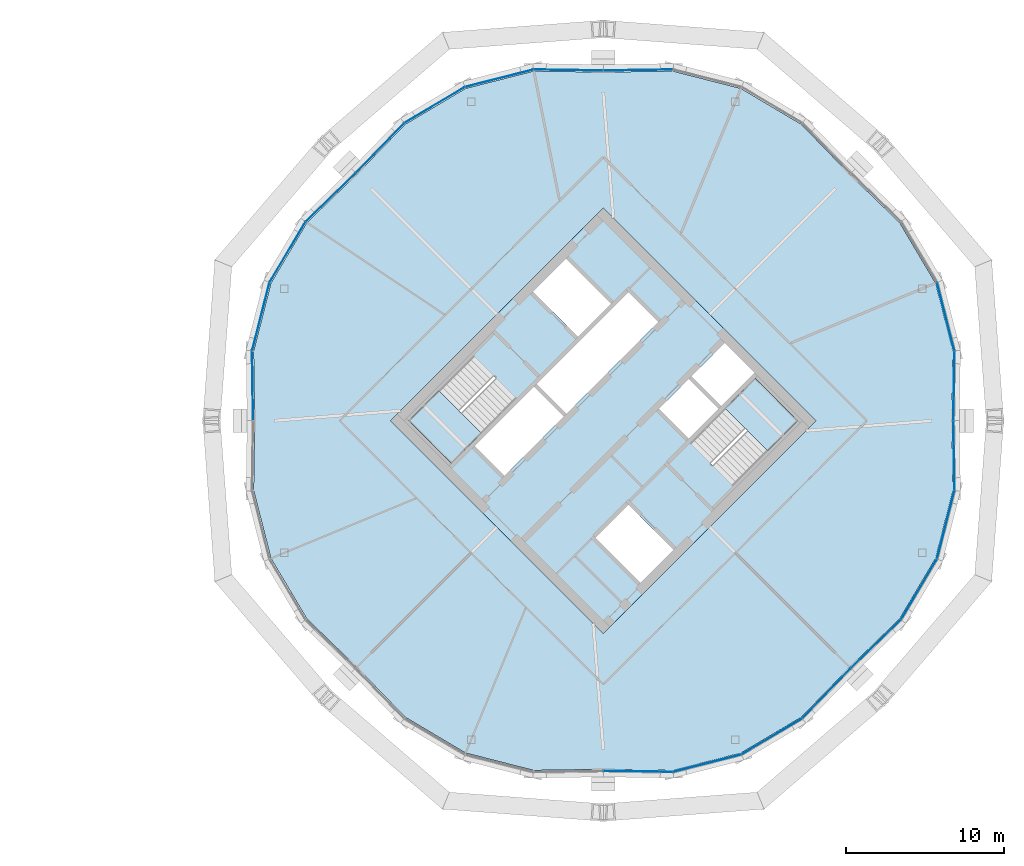
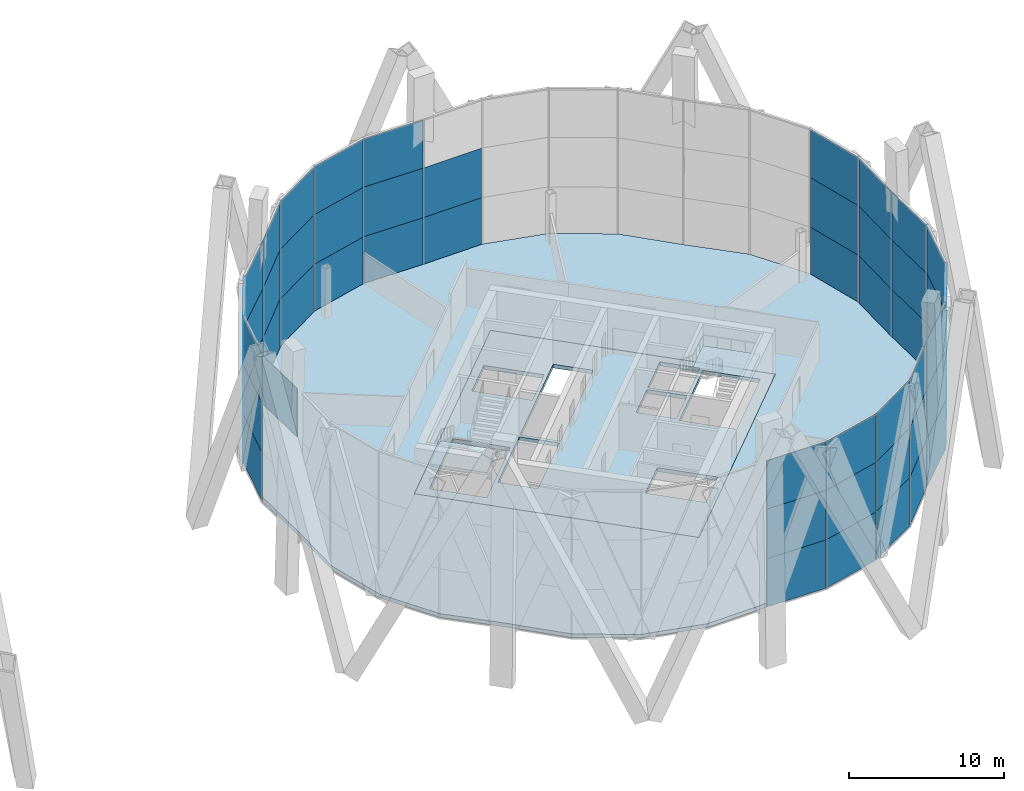
# One storey, part 14 of 23: 54 plates, 4 slabs, 8 elements without a shape of their own.
"""IFC4 building model written with IfcOpenShell, lengths in metres."""

from ifc_helpers import new_model, si_unit, direction, frame, origin, origin_2d, place, context, subcontext, project, spatial, polyline, rectangle, outline, extrude, material, layer, layer_set, type_object, element, aggregate, save


model = new_model("IFC4")

# Units and contexts
model_context = context("Model", 3, precision=1e-05, world=origin(), true_north=direction((0.0, 1.0)))
body_context = subcontext(model_context, "Body", "Model", "MODEL_VIEW")
ifc_project = project(units=[si_unit("LENGTHUNIT", "METRE"), si_unit("AREAUNIT", "SQUARE_METRE"), si_unit("VOLUMEUNIT", "CUBIC_METRE"), si_unit("PLANEANGLEUNIT", "RADIAN"), si_unit("MASSUNIT", "GRAM", prefix="KILO")], contexts=[model_context])

# Site, building, storey
site_placement = place(None, origin())
site = spatial("IfcSite", under=ifc_project, at=site_placement, CompositionType="ELEMENT")
building_placement = place(site_placement, origin())
building = spatial("IfcBuilding", under=site, at=building_placement, Name="Ogive Gate Towers", CompositionType="ELEMENT")
storey_placement = place(building_placement, frame((0.0, 0.0, 165.60009765625)))
storey = spatial("IfcBuildingStorey", under=building, at=storey_placement, Name="L39", CompositionType="ELEMENT", Elevation=165.60009765625)

# Slabs
ifc_material_1 = material(Name="Concrete C40/50", Category="concrete")
ifc_layer_1 = layer(ifc_material_1, 0.300048828125)
ifc_layer_set_1 = layer_set([ifc_layer_1], Name="Core slab C40/50 300 mm")
slab_type_1 = type_object("IfcSlabType", Name="Core slab C40/50 300 mm", PredefinedType="FLOOR", material=ifc_layer_set_1)
slab_1_placement = place(storey_placement, frame((0.0, 0.0, -0.300048828125)))
element("IfcSlab", 1, at=slab_1_placement, inside=storey, type_object=slab_type_1, Name="T2 L39 core slab", PredefinedType="FLOOR", context=body_context, shape_type="SweptSolid", body=[
    extrude(outline(polyline([(36.0, -13.43505859375), (22.56494140625, 0.0), (36.0, 13.43505859375), (49.43505859375, 0.0), (36.0, -13.43505859375)]), holes=[polyline([(29.759765625, -3.482421875), (33.50732421875, 0.26513671875), (31.615966796875, 2.15673828125), (27.868408203125, -1.591064453125), (29.759765625, -3.482421875)]), polyline([(31.792724609375, 2.33349609375), (33.68408203125, 0.44189453125), (39.482421875, 6.240234375), (37.591064453125, 8.131591796875), (31.792724609375, 2.33349609375)]), polyline([(41.3916015625, 2.634033203125), (39.517822265625, 0.760009765625), (41.409423828125, -1.13134765625), (43.283203125, 0.742431640625), (41.3916015625, 2.634033203125)]), polyline([(45.563720703125, 3.02294921875), (43.672119140625, 4.914306640625), (41.568603515625, 2.810791015625), (43.4599609375, 0.919189453125), (45.563720703125, 3.02294921875)]), polyline([(34.408935546875, 5.30322265625), (36.4951171875, 7.389404296875), (33.64892578125, 10.2353515625), (31.56298828125, 8.1494140625), (34.408935546875, 5.30322265625)]), polyline([(35.5048828125, -7.389404296875), (38.35107421875, -10.2353515625), (40.43701171875, -8.1494140625), (37.591064453125, -5.30322265625), (35.5048828125, -7.389404296875)]), polyline([(26.40087890625, -2.70458984375), (30.512939453125, 1.406982421875), (27.80810546875, 4.11181640625), (23.6962890625, 0.0), (26.40087890625, -2.70458984375)]), polyline([(48.3037109375, 0.0), (45.59912109375, 2.70458984375), (41.487060546875, -1.406982421875), (44.19189453125, -4.11181640625), (48.3037109375, 0.0)])]), origin(), (0.0, 0.0, 1.0), 0.300048828125),
])
ifc_material_2 = material(Name="Concrete C35/45", Category="concrete")
ifc_layer_2 = layer(ifc_material_2, 0.300048828125)
ifc_layer_set_2 = layer_set([ifc_layer_2], Name="Floor slab 300")
slab_type_2 = type_object("IfcSlabType", Name="Floor slab 300", PredefinedType="FLOOR", material=ifc_layer_set_2)
slab_2_placement = place(storey_placement, frame((0.0, 0.0, -0.300048828125)))
element("IfcSlab", 2, at=slab_2_placement, inside=storey, type_object=slab_type_2, Name="T2/L39/SSL001", PredefinedType="FLOOR", context=body_context, shape_type="SweptSolid", body=[
    extrude(outline(polyline([(58.09716796875, -4.395263671875), (58.030029296875, 0.0), (58.09716796875, 4.395263671875), (56.999755859375, 8.698486328125), (54.73291015625, 12.51708984375), (51.57763671875, 15.57763671875), (48.51708984375, 18.73291015625), (44.698486328125, 20.999755859375), (40.395263671875, 22.09716796875), (36.0, 22.030029296875), (31.604736328125, 22.09716796875), (27.301513671875, 20.999755859375), (23.48291015625, 18.73291015625), (20.42236328125, 15.57763671875), (17.26708984375, 12.51708984375), (15.000244140625, 8.698486328125), (13.90283203125, 4.395263671875), (13.969970703125, 0.0), (13.90283203125, -4.395263671875), (15.000244140625, -8.698486328125), (17.26708984375, -12.51708984375), (20.42236328125, -15.57763671875), (23.48291015625, -18.73291015625), (27.301513671875, -20.999755859375), (31.604736328125, -22.09716796875), (36.0, -22.030029296875), (40.395263671875, -22.09716796875), (44.698486328125, -20.999755859375), (48.51708984375, -18.73291015625), (51.57763671875, -15.57763671875), (54.73291015625, -12.51708984375), (56.999755859375, -8.698486328125), (58.09716796875, -4.395263671875)]), holes=[polyline([(49.43505859375, 0.0), (36.0, -13.43505859375), (22.56494140625, 0.0), (36.0, 13.43505859375), (49.43505859375, 0.0)])]), origin(), (0.0, 0.0, 1.0), 0.300048828125),
])

# Stair, slab
stair_type = type_object("IfcStairType", Name="Escape stair 1840 wide", PredefinedType="HALF_TURN_STAIR", material=ifc_material_1)
stair_1_placement = place(storey_placement, origin())
stair_1 = element("IfcStair", 3, at=stair_1_placement, inside=storey, type_object=stair_type, Name="L39 Escape stair 1", PredefinedType="HALF_TURN_STAIR")
ifc_layer_3 = layer(ifc_material_1, 0.199951171875)
ifc_layer_set_3 = layer_set([ifc_layer_3], Name="Stair landing 200 mm")
slab_type_3 = type_object("IfcSlabType", Name="Stair landing 200 mm", PredefinedType="LANDING", material=ifc_layer_set_3)
slab_3_placement = place(storey_placement, frame((0.0, 0.0, 1.75)))
slab_3 = element("IfcSlab", 4, at=slab_3_placement, type_object=slab_type_3, Name="ST1 landing 1", PredefinedType="LANDING", context=body_context, shape_type="SweptSolid", body=[
    extrude(outline(polyline([(25.6044921875, 1.908203125), (23.6962890625, 0.0), (26.401123046875, -2.70458984375), (28.309326171875, -0.79638671875), (25.6044921875, 1.908203125)])), origin(), (0.0, 0.0, 1.0), 0.199951171875),
])
aggregate(stair_1, [slab_3])

stair_2_placement = place(storey_placement, origin())
stair_2 = element("IfcStair", 5, at=stair_2_placement, inside=storey, type_object=stair_type, Name="L39 Escape stair 2", PredefinedType="HALF_TURN_STAIR")
slab_4_placement = place(storey_placement, frame((0.0, 0.0, 1.75)))
slab_4 = element("IfcSlab", 6, at=slab_4_placement, type_object=slab_type_3, Name="ST2 landing 1", PredefinedType="LANDING", context=body_context, shape_type="SweptSolid", body=[
    extrude(outline(polyline([(46.3955078125, -1.908203125), (48.3037109375, 0.0), (45.598876953125, 2.70458984375), (43.690673828125, 0.79638671875), (46.3955078125, -1.908203125)])), origin(), (0.0, 0.0, 1.0), 0.199951171875),
])
aggregate(stair_2, [slab_4])

# Curtain wall, plates
ifc_material_3 = material(Name="Pale metal aluminium", Category="aluminium")
curtain_wall_type = type_object("IfcCurtainWallType", Name="Tower unitised wall, high zone", PredefinedType="NOTDEFINED", material=ifc_material_3)
curtain_wall_1_placement = place(storey_placement, origin())
curtain_wall_1 = element("IfcCurtainWall", 7, at=curtain_wall_1_placement, inside=storey, type_object=curtain_wall_type, Name="CW2 T2 ECW01", PredefinedType="NOTDEFINED")
ifc_material_4 = material(Name="Clear glass", Category="glass")
ifc_layer_4 = layer(ifc_material_4, 0.028076171875)
ifc_layer_set_4 = layer_set([ifc_layer_4], Name="Tower unitised wall, high zone glass panel")
plate_type = type_object("IfcPlateType", Name="Tower unitised wall, high zone glass panel", PredefinedType="CURTAIN_PANEL", material=ifc_layer_set_4)
plate_1_placement = place(storey_placement, frame((58.16357421875, 2.20166015625, -0.2041015625), z_axis=(0.0, 0.0, 1.0), x_axis=(0.015271037347, 0.99988339091, 0.0)))
plate_1 = element("IfcPlate", 8, at=plate_1_placement, type_object=plate_type, Name="CW2 glass panel", PredefinedType="CURTAIN_PANEL", context=body_context, shape_type="SweptSolid", body=[
    extrude(rectangle(XDim=4.349853515625, YDim=0.028076171875, at=origin_2d()), origin(), (0.0, 0.0, 1.0), 3.803955078125),
])
plate_2_placement = place(storey_placement, frame((58.16357421875, 2.20166015625, 3.599853515625), z_axis=(0.0, 0.0, 1.0), x_axis=(0.015271037347, 0.99988339091, 0.0)))
plate_2 = element("IfcPlate", 9, at=plate_2_placement, type_object=plate_type, Name="CW2 glass panel", PredefinedType="CURTAIN_PANEL", context=body_context, shape_type="SweptSolid", body=[
    extrude(rectangle(XDim=4.349853515625, YDim=0.028076171875, at=origin_2d()), origin(), (0.0, 0.0, 1.0), 3.89990234375),
])
plate_3_placement = place(storey_placement, frame((58.16357421875, 2.20166015625, 7.5), z_axis=(0.0, 0.0, 1.0), x_axis=(0.015271037347, 0.99988339091, 0.0)))
plate_3 = element("IfcPlate", 10, at=plate_3_placement, type_object=plate_type, Name="CW2 glass panel", PredefinedType="CURTAIN_PANEL", context=body_context, shape_type="SweptSolid", body=[
    extrude(rectangle(XDim=4.349853515625, YDim=0.028076171875, at=origin_2d()), origin(), (0.0, 0.0, 1.0), 3.803955078125),
])
plate_4_placement = place(storey_placement, frame((57.645263671875, 6.572021484375, -0.2041015625), z_axis=(0.0, 0.0, 1.0), x_axis=(-0.247100486458, 0.968989860418, 0.0)))
plate_4 = element("IfcPlate", 11, at=plate_4_placement, type_object=plate_type, Name="CW2 glass panel", PredefinedType="CURTAIN_PANEL", context=body_context, shape_type="SweptSolid", body=[
    extrude(rectangle(XDim=4.406494140625, YDim=0.028076171875, at=origin_2d()), origin(), (0.0, 0.0, 1.0), 3.803955078125),
])
plate_5_placement = place(storey_placement, frame((57.645263671875, 6.572021484375, 3.599853515625), z_axis=(0.0, 0.0, 1.0), x_axis=(-0.247100486458, 0.968989860418, 0.0)))
plate_5 = element("IfcPlate", 12, at=plate_5_placement, type_object=plate_type, Name="CW2 glass panel", PredefinedType="CURTAIN_PANEL", context=body_context, shape_type="SweptSolid", body=[
    extrude(rectangle(XDim=4.406494140625, YDim=0.028076171875, at=origin_2d()), origin(), (0.0, 0.0, 1.0), 3.89990234375),
])
plate_6_placement = place(storey_placement, frame((57.645263671875, 6.572021484375, 7.5), z_axis=(0.0, 0.0, 1.0), x_axis=(-0.247100486458, 0.968989860418, 0.0)))
plate_6 = element("IfcPlate", 13, at=plate_6_placement, type_object=plate_type, Name="CW2 glass panel", PredefinedType="CURTAIN_PANEL", context=body_context, shape_type="SweptSolid", body=[
    extrude(rectangle(XDim=4.406494140625, YDim=0.028076171875, at=origin_2d()), origin(), (0.0, 0.0, 1.0), 3.803955078125),
])
aggregate(curtain_wall_1, [plate_1, plate_2, plate_3, plate_4, plate_5, plate_6])

curtain_wall_2_placement = place(storey_placement, origin())
curtain_wall_2 = element("IfcCurtainWall", 14, at=curtain_wall_2_placement, inside=storey, type_object=curtain_wall_type, Name="CW2 T2 ECW02", PredefinedType="NOTDEFINED")
plate_7_placement = place(storey_placement, frame((38.20166015625, 22.16357421875, -0.2041015625), z_axis=(0.0, 0.0, 1.0), x_axis=(-0.99988339091, -0.015271037347, 0.0)))
plate_7 = element("IfcPlate", 15, at=plate_7_placement, type_object=plate_type, Name="CW2 glass panel", PredefinedType="CURTAIN_PANEL", context=body_context, shape_type="SweptSolid", body=[
    extrude(rectangle(XDim=4.349853515625, YDim=0.028076171875, at=origin_2d()), origin(), (0.0, 0.0, 1.0), 3.803955078125),
])
plate_8_placement = place(storey_placement, frame((38.20166015625, 22.16357421875, 3.599853515625), z_axis=(0.0, 0.0, 1.0), x_axis=(-0.99988339091, -0.015271037347, 0.0)))
plate_8 = element("IfcPlate", 16, at=plate_8_placement, type_object=plate_type, Name="CW2 glass panel", PredefinedType="CURTAIN_PANEL", context=body_context, shape_type="SweptSolid", body=[
    extrude(rectangle(XDim=4.349853515625, YDim=0.028076171875, at=origin_2d()), origin(), (0.0, 0.0, 1.0), 3.89990234375),
])
aggregate(curtain_wall_2, [plate_7, plate_8])

curtain_wall_3_placement = place(storey_placement, origin())
curtain_wall_3 = element("IfcCurtainWall", 17, at=curtain_wall_3_placement, inside=storey, type_object=curtain_wall_type, Name="CW2 T2 ECW03", PredefinedType="NOTDEFINED")
plate_9_placement = place(storey_placement, frame((33.79833984375, 22.16357421875, -0.2041015625), z_axis=(0.0, 0.0, 1.0), x_axis=(-0.99988339091, 0.015271037347, 0.0)))
plate_9 = element("IfcPlate", 18, at=plate_9_placement, type_object=plate_type, Name="CW2 glass panel", PredefinedType="CURTAIN_PANEL", context=body_context, shape_type="SweptSolid", body=[
    extrude(rectangle(XDim=4.349853515625, YDim=0.028076171875, at=origin_2d()), origin(), (0.0, 0.0, 1.0), 3.803955078125),
])
plate_10_placement = place(storey_placement, frame((33.79833984375, 22.16357421875, 3.599853515625), z_axis=(0.0, 0.0, 1.0), x_axis=(-0.99988339091, 0.015271037347, 0.0)))
plate_10 = element("IfcPlate", 19, at=plate_10_placement, type_object=plate_type, Name="CW2 glass panel", PredefinedType="CURTAIN_PANEL", context=body_context, shape_type="SweptSolid", body=[
    extrude(rectangle(XDim=4.349853515625, YDim=0.028076171875, at=origin_2d()), origin(), (0.0, 0.0, 1.0), 3.89990234375),
])
plate_11_placement = place(storey_placement, frame((33.79833984375, 22.16357421875, 7.5), z_axis=(0.0, 0.0, 1.0), x_axis=(-0.99988339091, 0.015271037347, 0.0)))
plate_11 = element("IfcPlate", 20, at=plate_11_placement, type_object=plate_type, Name="CW2 glass panel", PredefinedType="CURTAIN_PANEL", context=body_context, shape_type="SweptSolid", body=[
    extrude(rectangle(XDim=4.349853515625, YDim=0.028076171875, at=origin_2d()), origin(), (0.0, 0.0, 1.0), 3.803955078125),
])
plate_12_placement = place(storey_placement, frame((29.427978515625, 21.645263671875, -0.2041015625), z_axis=(0.0, 0.0, 1.0), x_axis=(-0.968989860418, -0.247100486458, 0.0)))
plate_12 = element("IfcPlate", 21, at=plate_12_placement, type_object=plate_type, Name="CW2 glass panel", PredefinedType="CURTAIN_PANEL", context=body_context, shape_type="SweptSolid", body=[
    extrude(rectangle(XDim=4.406494140625, YDim=0.028076171875, at=origin_2d()), origin(), (0.0, 0.0, 1.0), 3.803955078125),
])
plate_13_placement = place(storey_placement, frame((29.427978515625, 21.645263671875, 3.599853515625), z_axis=(0.0, 0.0, 1.0), x_axis=(-0.968989860418, -0.247100486458, 0.0)))
plate_13 = element("IfcPlate", 22, at=plate_13_placement, type_object=plate_type, Name="CW2 glass panel", PredefinedType="CURTAIN_PANEL", context=body_context, shape_type="SweptSolid", body=[
    extrude(rectangle(XDim=4.406494140625, YDim=0.028076171875, at=origin_2d()), origin(), (0.0, 0.0, 1.0), 3.89990234375),
])
plate_14_placement = place(storey_placement, frame((29.427978515625, 21.645263671875, 7.5), z_axis=(0.0, 0.0, 1.0), x_axis=(-0.968989860418, -0.247100486458, 0.0)))
plate_14 = element("IfcPlate", 23, at=plate_14_placement, type_object=plate_type, Name="CW2 glass panel", PredefinedType="CURTAIN_PANEL", context=body_context, shape_type="SweptSolid", body=[
    extrude(rectangle(XDim=4.406494140625, YDim=0.028076171875, at=origin_2d()), origin(), (0.0, 0.0, 1.0), 3.803955078125),
])
plate_15_placement = place(storey_placement, frame((25.341552734375, 19.95263671875, -0.2041015625), z_axis=(0.0, 0.0, 1.0), x_axis=(-0.859905730811, -0.510452871593, 0.0)))
plate_15 = element("IfcPlate", 24, at=plate_15_placement, type_object=plate_type, Name="CW2 glass panel", PredefinedType="CURTAIN_PANEL", context=body_context, shape_type="SweptSolid", body=[
    extrude(rectangle(XDim=4.406494140625, YDim=0.028076171875, at=origin_2d()), origin(), (0.0, 0.0, 1.0), 3.803955078125),
])
plate_16_placement = place(storey_placement, frame((25.341552734375, 19.95263671875, 3.599853515625), z_axis=(0.0, 0.0, 1.0), x_axis=(-0.859905730811, -0.510452871593, 0.0)))
plate_16 = element("IfcPlate", 25, at=plate_16_placement, type_object=plate_type, Name="CW2 glass panel", PredefinedType="CURTAIN_PANEL", context=body_context, shape_type="SweptSolid", body=[
    extrude(rectangle(XDim=4.406494140625, YDim=0.028076171875, at=origin_2d()), origin(), (0.0, 0.0, 1.0), 3.89990234375),
])
plate_17_placement = place(storey_placement, frame((25.341552734375, 19.95263671875, 7.5), z_axis=(0.0, 0.0, 1.0), x_axis=(-0.859905730811, -0.510452871593, 0.0)))
plate_17 = element("IfcPlate", 26, at=plate_17_placement, type_object=plate_type, Name="CW2 glass panel", PredefinedType="CURTAIN_PANEL", context=body_context, shape_type="SweptSolid", body=[
    extrude(rectangle(XDim=4.406494140625, YDim=0.028076171875, at=origin_2d()), origin(), (0.0, 0.0, 1.0), 3.803955078125),
])
plate_18_placement = place(storey_placement, frame((21.884765625, 17.22900390625, -0.2041015625), z_axis=(0.0, 0.0, 1.0), x_axis=(-0.696238600306, -0.717810428625, 0.0)))
plate_18 = element("IfcPlate", 27, at=plate_18_placement, type_object=plate_type, Name="CW2 glass panel", PredefinedType="CURTAIN_PANEL", context=body_context, shape_type="SweptSolid", body=[
    extrude(rectangle(XDim=4.349853515625, YDim=0.028076171875, at=origin_2d()), origin(), (0.0, 0.0, 1.0), 3.803955078125),
])
plate_19_placement = place(storey_placement, frame((21.884765625, 17.22900390625, 3.599853515625), z_axis=(0.0, 0.0, 1.0), x_axis=(-0.696238600306, -0.717810428625, 0.0)))
plate_19 = element("IfcPlate", 28, at=plate_19_placement, type_object=plate_type, Name="CW2 glass panel", PredefinedType="CURTAIN_PANEL", context=body_context, shape_type="SweptSolid", body=[
    extrude(rectangle(XDim=4.349853515625, YDim=0.028076171875, at=origin_2d()), origin(), (0.0, 0.0, 1.0), 3.89990234375),
])
plate_20_placement = place(storey_placement, frame((21.884765625, 17.22900390625, 7.5), z_axis=(0.0, 0.0, 1.0), x_axis=(-0.696238600306, -0.717810428625, 0.0)))
plate_20 = element("IfcPlate", 29, at=plate_20_placement, type_object=plate_type, Name="CW2 glass panel", PredefinedType="CURTAIN_PANEL", context=body_context, shape_type="SweptSolid", body=[
    extrude(rectangle(XDim=4.349853515625, YDim=0.028076171875, at=origin_2d()), origin(), (0.0, 0.0, 1.0), 3.803955078125),
])
aggregate(curtain_wall_3, [plate_9, plate_10, plate_11, plate_12, plate_13, plate_14, plate_15, plate_16, plate_17, plate_18, plate_19, plate_20])

curtain_wall_4_placement = place(storey_placement, origin())
curtain_wall_4 = element("IfcCurtainWall", 30, at=curtain_wall_4_placement, inside=storey, type_object=curtain_wall_type, Name="CW2 T2 ECW04", PredefinedType="NOTDEFINED")
plate_21_placement = place(storey_placement, frame((18.77099609375, 14.115234375, -0.2041015625), z_axis=(0.0, 0.0, 1.0), x_axis=(-0.717810428625, -0.696238600306, 0.0)))
plate_21 = element("IfcPlate", 31, at=plate_21_placement, type_object=plate_type, Name="CW2 glass panel", PredefinedType="CURTAIN_PANEL", context=body_context, shape_type="SweptSolid", body=[
    extrude(rectangle(XDim=4.349853515625, YDim=0.028076171875, at=origin_2d()), origin(), (0.0, 0.0, 1.0), 3.803955078125),
])
plate_22_placement = place(storey_placement, frame((18.77099609375, 14.115234375, 3.599853515625), z_axis=(0.0, 0.0, 1.0), x_axis=(-0.717810428625, -0.696238600306, 0.0)))
plate_22 = element("IfcPlate", 32, at=plate_22_placement, type_object=plate_type, Name="CW2 glass panel", PredefinedType="CURTAIN_PANEL", context=body_context, shape_type="SweptSolid", body=[
    extrude(rectangle(XDim=4.349853515625, YDim=0.028076171875, at=origin_2d()), origin(), (0.0, 0.0, 1.0), 3.89990234375),
])
plate_23_placement = place(storey_placement, frame((18.77099609375, 14.115234375, 7.5), z_axis=(0.0, 0.0, 1.0), x_axis=(-0.717810428625, -0.696238600306, 0.0)))
plate_23 = element("IfcPlate", 33, at=plate_23_placement, type_object=plate_type, Name="CW2 glass panel", PredefinedType="CURTAIN_PANEL", context=body_context, shape_type="SweptSolid", body=[
    extrude(rectangle(XDim=4.349853515625, YDim=0.028076171875, at=origin_2d()), origin(), (0.0, 0.0, 1.0), 3.803955078125),
])
plate_24_placement = place(storey_placement, frame((16.04736328125, 10.658447265625, -0.2041015625), z_axis=(0.0, 0.0, 1.0), x_axis=(-0.510452871593, -0.859905730811, 0.0)))
plate_24 = element("IfcPlate", 34, at=plate_24_placement, type_object=plate_type, Name="CW2 glass panel", PredefinedType="CURTAIN_PANEL", context=body_context, shape_type="SweptSolid", body=[
    extrude(rectangle(XDim=4.406494140625, YDim=0.028076171875, at=origin_2d()), origin(), (0.0, 0.0, 1.0), 3.803955078125),
])
plate_25_placement = place(storey_placement, frame((16.04736328125, 10.658447265625, 3.599853515625), z_axis=(0.0, 0.0, 1.0), x_axis=(-0.510452871593, -0.859905730811, 0.0)))
plate_25 = element("IfcPlate", 35, at=plate_25_placement, type_object=plate_type, Name="CW2 glass panel", PredefinedType="CURTAIN_PANEL", context=body_context, shape_type="SweptSolid", body=[
    extrude(rectangle(XDim=4.406494140625, YDim=0.028076171875, at=origin_2d()), origin(), (0.0, 0.0, 1.0), 3.89990234375),
])
plate_26_placement = place(storey_placement, frame((16.04736328125, 10.658447265625, 7.5), z_axis=(0.0, 0.0, 1.0), x_axis=(-0.510452871593, -0.859905730811, 0.0)))
plate_26 = element("IfcPlate", 36, at=plate_26_placement, type_object=plate_type, Name="CW2 glass panel", PredefinedType="CURTAIN_PANEL", context=body_context, shape_type="SweptSolid", body=[
    extrude(rectangle(XDim=4.406494140625, YDim=0.028076171875, at=origin_2d()), origin(), (0.0, 0.0, 1.0), 3.803955078125),
])
plate_27_placement = place(storey_placement, frame((14.354736328125, 6.572021484375, -0.2041015625), z_axis=(0.0, 0.0, 1.0), x_axis=(-0.247100486458, -0.968989860418, 0.0)))
plate_27 = element("IfcPlate", 37, at=plate_27_placement, type_object=plate_type, Name="CW2 glass panel", PredefinedType="CURTAIN_PANEL", context=body_context, shape_type="SweptSolid", body=[
    extrude(rectangle(XDim=4.406494140625, YDim=0.028076171875, at=origin_2d()), origin(), (0.0, 0.0, 1.0), 3.803955078125),
])
plate_28_placement = place(storey_placement, frame((14.354736328125, 6.572021484375, 3.599853515625), z_axis=(0.0, 0.0, 1.0), x_axis=(-0.247100486458, -0.968989860418, 0.0)))
plate_28 = element("IfcPlate", 38, at=plate_28_placement, type_object=plate_type, Name="CW2 glass panel", PredefinedType="CURTAIN_PANEL", context=body_context, shape_type="SweptSolid", body=[
    extrude(rectangle(XDim=4.406494140625, YDim=0.028076171875, at=origin_2d()), origin(), (0.0, 0.0, 1.0), 3.89990234375),
])
plate_29_placement = place(storey_placement, frame((14.354736328125, 6.572021484375, 7.5), z_axis=(0.0, 0.0, 1.0), x_axis=(-0.247100486458, -0.968989860418, 0.0)))
plate_29 = element("IfcPlate", 39, at=plate_29_placement, type_object=plate_type, Name="CW2 glass panel", PredefinedType="CURTAIN_PANEL", context=body_context, shape_type="SweptSolid", body=[
    extrude(rectangle(XDim=4.406494140625, YDim=0.028076171875, at=origin_2d()), origin(), (0.0, 0.0, 1.0), 3.803955078125),
])
plate_30_placement = place(storey_placement, frame((13.83642578125, 2.20166015625, 7.5), z_axis=(0.0, 0.0, 1.0), x_axis=(0.015271037347, -0.99988339091, 0.0)))
plate_30 = element("IfcPlate", 40, at=plate_30_placement, type_object=plate_type, Name="CW2 glass panel", PredefinedType="CURTAIN_PANEL", context=body_context, shape_type="SweptSolid", body=[
    extrude(rectangle(XDim=4.349853515625, YDim=0.028076171875, at=origin_2d()), origin(), (0.0, 0.0, 1.0), 3.803955078125),
])
aggregate(curtain_wall_4, [plate_21, plate_22, plate_23, plate_24, plate_25, plate_26, plate_27, plate_28, plate_29, plate_30])

curtain_wall_5_placement = place(storey_placement, origin())
curtain_wall_5 = element("IfcCurtainWall", 41, at=curtain_wall_5_placement, inside=storey, type_object=curtain_wall_type, Name="CW2 T2 ECW07", PredefinedType="NOTDEFINED")
plate_31_placement = place(storey_placement, frame((38.20166015625, -22.16357421875, -0.2041015625), z_axis=(0.0, 0.0, 1.0), x_axis=(0.99988339091, -0.015271037347, 0.0)))
plate_31 = element("IfcPlate", 42, at=plate_31_placement, type_object=plate_type, Name="CW2 glass panel", PredefinedType="CURTAIN_PANEL", context=body_context, shape_type="SweptSolid", body=[
    extrude(rectangle(XDim=4.349853515625, YDim=0.028076171875, at=origin_2d()), origin(), (0.0, 0.0, 1.0), 3.803955078125),
])
plate_32_placement = place(storey_placement, frame((38.20166015625, -22.16357421875, 3.599853515625), z_axis=(0.0, 0.0, 1.0), x_axis=(0.99988339091, -0.015271037347, 0.0)))
plate_32 = element("IfcPlate", 43, at=plate_32_placement, type_object=plate_type, Name="CW2 glass panel", PredefinedType="CURTAIN_PANEL", context=body_context, shape_type="SweptSolid", body=[
    extrude(rectangle(XDim=4.349853515625, YDim=0.028076171875, at=origin_2d()), origin(), (0.0, 0.0, 1.0), 3.89990234375),
])
plate_33_placement = place(storey_placement, frame((38.20166015625, -22.16357421875, 7.5), z_axis=(0.0, 0.0, 1.0), x_axis=(0.99988339091, -0.015271037347, 0.0)))
plate_33 = element("IfcPlate", 44, at=plate_33_placement, type_object=plate_type, Name="CW2 glass panel", PredefinedType="CURTAIN_PANEL", context=body_context, shape_type="SweptSolid", body=[
    extrude(rectangle(XDim=4.349853515625, YDim=0.028076171875, at=origin_2d()), origin(), (0.0, 0.0, 1.0), 3.803955078125),
])
plate_34_placement = place(storey_placement, frame((42.572021484375, -21.645263671875, -0.2041015625), z_axis=(0.0, 0.0, 1.0), x_axis=(0.968989860418, 0.247100486458, 0.0)))
plate_34 = element("IfcPlate", 45, at=plate_34_placement, type_object=plate_type, Name="CW2 glass panel", PredefinedType="CURTAIN_PANEL", context=body_context, shape_type="SweptSolid", body=[
    extrude(rectangle(XDim=4.406494140625, YDim=0.028076171875, at=origin_2d()), origin(), (0.0, 0.0, 1.0), 3.803955078125),
])
plate_35_placement = place(storey_placement, frame((42.572021484375, -21.645263671875, 3.599853515625), z_axis=(0.0, 0.0, 1.0), x_axis=(0.968989860418, 0.247100486458, 0.0)))
plate_35 = element("IfcPlate", 46, at=plate_35_placement, type_object=plate_type, Name="CW2 glass panel", PredefinedType="CURTAIN_PANEL", context=body_context, shape_type="SweptSolid", body=[
    extrude(rectangle(XDim=4.406494140625, YDim=0.028076171875, at=origin_2d()), origin(), (0.0, 0.0, 1.0), 3.89990234375),
])
plate_36_placement = place(storey_placement, frame((42.572021484375, -21.645263671875, 7.5), z_axis=(0.0, 0.0, 1.0), x_axis=(0.968989860418, 0.247100486458, 0.0)))
plate_36 = element("IfcPlate", 47, at=plate_36_placement, type_object=plate_type, Name="CW2 glass panel", PredefinedType="CURTAIN_PANEL", context=body_context, shape_type="SweptSolid", body=[
    extrude(rectangle(XDim=4.406494140625, YDim=0.028076171875, at=origin_2d()), origin(), (0.0, 0.0, 1.0), 3.803955078125),
])
plate_37_placement = place(storey_placement, frame((46.658447265625, -19.95263671875, -0.2041015625), z_axis=(0.0, 0.0, 1.0), x_axis=(0.859905730811, 0.510452871593, 0.0)))
plate_37 = element("IfcPlate", 48, at=plate_37_placement, type_object=plate_type, Name="CW2 glass panel", PredefinedType="CURTAIN_PANEL", context=body_context, shape_type="SweptSolid", body=[
    extrude(rectangle(XDim=4.406494140625, YDim=0.028076171875, at=origin_2d()), origin(), (0.0, 0.0, 1.0), 3.803955078125),
])
plate_38_placement = place(storey_placement, frame((46.658447265625, -19.95263671875, 3.599853515625), z_axis=(0.0, 0.0, 1.0), x_axis=(0.859905730811, 0.510452871593, 0.0)))
plate_38 = element("IfcPlate", 49, at=plate_38_placement, type_object=plate_type, Name="CW2 glass panel", PredefinedType="CURTAIN_PANEL", context=body_context, shape_type="SweptSolid", body=[
    extrude(rectangle(XDim=4.406494140625, YDim=0.028076171875, at=origin_2d()), origin(), (0.0, 0.0, 1.0), 3.89990234375),
])
plate_39_placement = place(storey_placement, frame((46.658447265625, -19.95263671875, 7.5), z_axis=(0.0, 0.0, 1.0), x_axis=(0.859905730811, 0.510452871593, 0.0)))
plate_39 = element("IfcPlate", 50, at=plate_39_placement, type_object=plate_type, Name="CW2 glass panel", PredefinedType="CURTAIN_PANEL", context=body_context, shape_type="SweptSolid", body=[
    extrude(rectangle(XDim=4.406494140625, YDim=0.028076171875, at=origin_2d()), origin(), (0.0, 0.0, 1.0), 3.803955078125),
])
plate_40_placement = place(storey_placement, frame((50.115234375, -17.22900390625, -0.2041015625), z_axis=(0.0, 0.0, 1.0), x_axis=(0.696238600306, 0.717810428625, 0.0)))
plate_40 = element("IfcPlate", 51, at=plate_40_placement, type_object=plate_type, Name="CW2 glass panel", PredefinedType="CURTAIN_PANEL", context=body_context, shape_type="SweptSolid", body=[
    extrude(rectangle(XDim=4.349853515625, YDim=0.028076171875, at=origin_2d()), origin(), (0.0, 0.0, 1.0), 3.803955078125),
])
plate_41_placement = place(storey_placement, frame((50.115234375, -17.22900390625, 3.599853515625), z_axis=(0.0, 0.0, 1.0), x_axis=(0.696238600306, 0.717810428625, 0.0)))
plate_41 = element("IfcPlate", 52, at=plate_41_placement, type_object=plate_type, Name="CW2 glass panel", PredefinedType="CURTAIN_PANEL", context=body_context, shape_type="SweptSolid", body=[
    extrude(rectangle(XDim=4.349853515625, YDim=0.028076171875, at=origin_2d()), origin(), (0.0, 0.0, 1.0), 3.89990234375),
])
plate_42_placement = place(storey_placement, frame((50.115234375, -17.22900390625, 7.5), z_axis=(0.0, 0.0, 1.0), x_axis=(0.696238600306, 0.717810428625, 0.0)))
plate_42 = element("IfcPlate", 53, at=plate_42_placement, type_object=plate_type, Name="CW2 glass panel", PredefinedType="CURTAIN_PANEL", context=body_context, shape_type="SweptSolid", body=[
    extrude(rectangle(XDim=4.349853515625, YDim=0.028076171875, at=origin_2d()), origin(), (0.0, 0.0, 1.0), 3.803955078125),
])
aggregate(curtain_wall_5, [plate_31, plate_32, plate_33, plate_34, plate_35, plate_36, plate_37, plate_38, plate_39, plate_40, plate_41, plate_42])

curtain_wall_6_placement = place(storey_placement, origin())
curtain_wall_6 = element("IfcCurtainWall", 54, at=curtain_wall_6_placement, inside=storey, type_object=curtain_wall_type, Name="CW2 T2 ECW08", PredefinedType="NOTDEFINED")
plate_43_placement = place(storey_placement, frame((53.22900390625, -14.115234375, -0.2041015625), z_axis=(0.0, 0.0, 1.0), x_axis=(0.717810428625, 0.696238600306, 0.0)))
plate_43 = element("IfcPlate", 55, at=plate_43_placement, type_object=plate_type, Name="CW2 glass panel", PredefinedType="CURTAIN_PANEL", context=body_context, shape_type="SweptSolid", body=[
    extrude(rectangle(XDim=4.349853515625, YDim=0.028076171875, at=origin_2d()), origin(), (0.0, 0.0, 1.0), 3.803955078125),
])
plate_44_placement = place(storey_placement, frame((53.22900390625, -14.115234375, 3.599853515625), z_axis=(0.0, 0.0, 1.0), x_axis=(0.717810428625, 0.696238600306, 0.0)))
plate_44 = element("IfcPlate", 56, at=plate_44_placement, type_object=plate_type, Name="CW2 glass panel", PredefinedType="CURTAIN_PANEL", context=body_context, shape_type="SweptSolid", body=[
    extrude(rectangle(XDim=4.349853515625, YDim=0.028076171875, at=origin_2d()), origin(), (0.0, 0.0, 1.0), 3.89990234375),
])
plate_45_placement = place(storey_placement, frame((53.22900390625, -14.115234375, 7.5), z_axis=(0.0, 0.0, 1.0), x_axis=(0.717810428625, 0.696238600306, 0.0)))
plate_45 = element("IfcPlate", 57, at=plate_45_placement, type_object=plate_type, Name="CW2 glass panel", PredefinedType="CURTAIN_PANEL", context=body_context, shape_type="SweptSolid", body=[
    extrude(rectangle(XDim=4.349853515625, YDim=0.028076171875, at=origin_2d()), origin(), (0.0, 0.0, 1.0), 3.803955078125),
])
plate_46_placement = place(storey_placement, frame((55.95263671875, -10.658447265625, -0.2041015625), z_axis=(0.0, 0.0, 1.0), x_axis=(0.510452871593, 0.859905730811, 0.0)))
plate_46 = element("IfcPlate", 58, at=plate_46_placement, type_object=plate_type, Name="CW2 glass panel", PredefinedType="CURTAIN_PANEL", context=body_context, shape_type="SweptSolid", body=[
    extrude(rectangle(XDim=4.406494140625, YDim=0.028076171875, at=origin_2d()), origin(), (0.0, 0.0, 1.0), 3.803955078125),
])
plate_47_placement = place(storey_placement, frame((55.95263671875, -10.658447265625, 3.599853515625), z_axis=(0.0, 0.0, 1.0), x_axis=(0.510452871593, 0.859905730811, 0.0)))
plate_47 = element("IfcPlate", 59, at=plate_47_placement, type_object=plate_type, Name="CW2 glass panel", PredefinedType="CURTAIN_PANEL", context=body_context, shape_type="SweptSolid", body=[
    extrude(rectangle(XDim=4.406494140625, YDim=0.028076171875, at=origin_2d()), origin(), (0.0, 0.0, 1.0), 3.89990234375),
])
plate_48_placement = place(storey_placement, frame((55.95263671875, -10.658447265625, 7.5), z_axis=(0.0, 0.0, 1.0), x_axis=(0.510452871593, 0.859905730811, 0.0)))
plate_48 = element("IfcPlate", 60, at=plate_48_placement, type_object=plate_type, Name="CW2 glass panel", PredefinedType="CURTAIN_PANEL", context=body_context, shape_type="SweptSolid", body=[
    extrude(rectangle(XDim=4.406494140625, YDim=0.028076171875, at=origin_2d()), origin(), (0.0, 0.0, 1.0), 3.803955078125),
])
plate_49_placement = place(storey_placement, frame((57.645263671875, -6.572021484375, -0.2041015625), z_axis=(0.0, 0.0, 1.0), x_axis=(0.247100486458, 0.968989860418, 0.0)))
plate_49 = element("IfcPlate", 61, at=plate_49_placement, type_object=plate_type, Name="CW2 glass panel", PredefinedType="CURTAIN_PANEL", context=body_context, shape_type="SweptSolid", body=[
    extrude(rectangle(XDim=4.406494140625, YDim=0.028076171875, at=origin_2d()), origin(), (0.0, 0.0, 1.0), 3.803955078125),
])
plate_50_placement = place(storey_placement, frame((57.645263671875, -6.572021484375, 3.599853515625), z_axis=(0.0, 0.0, 1.0), x_axis=(0.247100486458, 0.968989860418, 0.0)))
plate_50 = element("IfcPlate", 62, at=plate_50_placement, type_object=plate_type, Name="CW2 glass panel", PredefinedType="CURTAIN_PANEL", context=body_context, shape_type="SweptSolid", body=[
    extrude(rectangle(XDim=4.406494140625, YDim=0.028076171875, at=origin_2d()), origin(), (0.0, 0.0, 1.0), 3.89990234375),
])
plate_51_placement = place(storey_placement, frame((57.645263671875, -6.572021484375, 7.5), z_axis=(0.0, 0.0, 1.0), x_axis=(0.247100486458, 0.968989860418, 0.0)))
plate_51 = element("IfcPlate", 63, at=plate_51_placement, type_object=plate_type, Name="CW2 glass panel", PredefinedType="CURTAIN_PANEL", context=body_context, shape_type="SweptSolid", body=[
    extrude(rectangle(XDim=4.406494140625, YDim=0.028076171875, at=origin_2d()), origin(), (0.0, 0.0, 1.0), 3.803955078125),
])
plate_52_placement = place(storey_placement, frame((58.16357421875, -2.20166015625, -0.2041015625), z_axis=(0.0, 0.0, 1.0), x_axis=(-0.015271037347, 0.99988339091, 0.0)))
plate_52 = element("IfcPlate", 64, at=plate_52_placement, type_object=plate_type, Name="CW2 glass panel", PredefinedType="CURTAIN_PANEL", context=body_context, shape_type="SweptSolid", body=[
    extrude(rectangle(XDim=4.349853515625, YDim=0.028076171875, at=origin_2d()), origin(), (0.0, 0.0, 1.0), 3.803955078125),
])
plate_53_placement = place(storey_placement, frame((58.16357421875, -2.20166015625, 3.599853515625), z_axis=(0.0, 0.0, 1.0), x_axis=(-0.015271037347, 0.99988339091, 0.0)))
plate_53 = element("IfcPlate", 65, at=plate_53_placement, type_object=plate_type, Name="CW2 glass panel", PredefinedType="CURTAIN_PANEL", context=body_context, shape_type="SweptSolid", body=[
    extrude(rectangle(XDim=4.349853515625, YDim=0.028076171875, at=origin_2d()), origin(), (0.0, 0.0, 1.0), 3.89990234375),
])
plate_54_placement = place(storey_placement, frame((58.16357421875, -2.20166015625, 7.5), z_axis=(0.0, 0.0, 1.0), x_axis=(-0.015271037347, 0.99988339091, 0.0)))
plate_54 = element("IfcPlate", 66, at=plate_54_placement, type_object=plate_type, Name="CW2 glass panel", PredefinedType="CURTAIN_PANEL", context=body_context, shape_type="SweptSolid", body=[
    extrude(rectangle(XDim=4.349853515625, YDim=0.028076171875, at=origin_2d()), origin(), (0.0, 0.0, 1.0), 3.803955078125),
])
aggregate(curtain_wall_6, [plate_43, plate_44, plate_45, plate_46, plate_47, plate_48, plate_49, plate_50, plate_51, plate_52, plate_53, plate_54])

save(model, "model.ifc")
